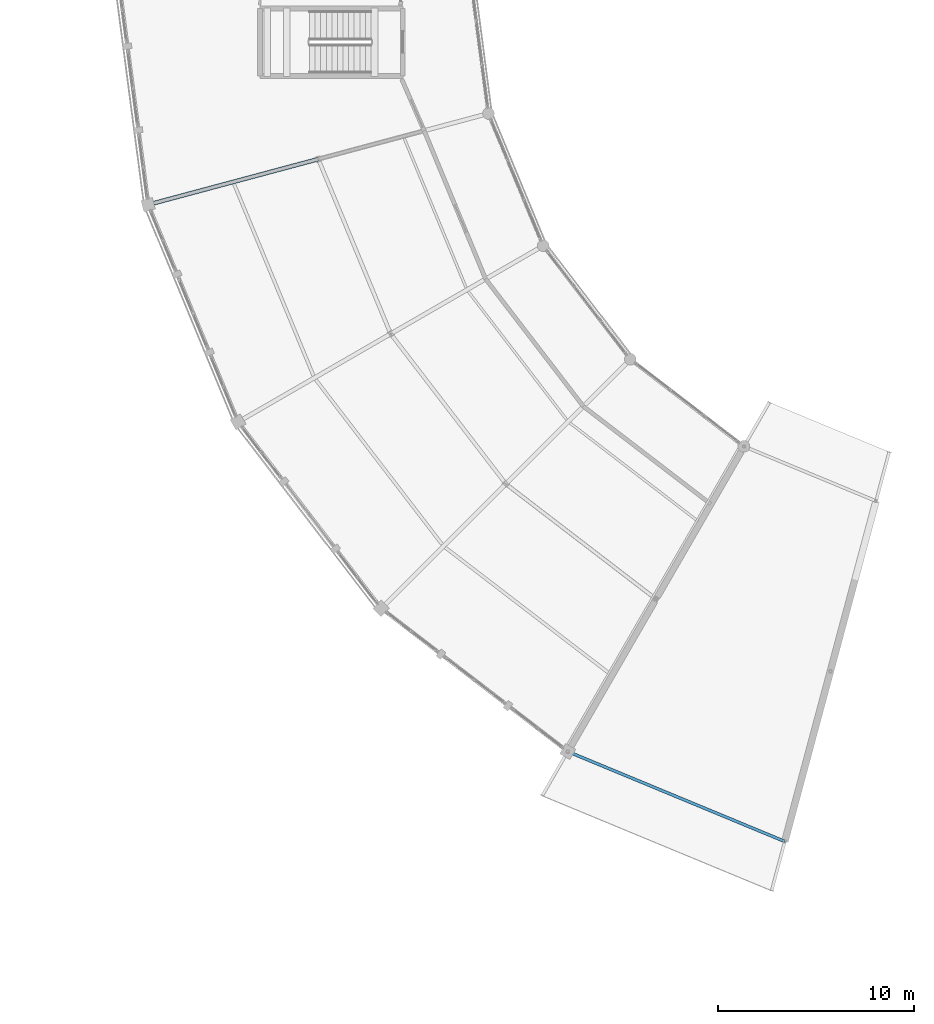
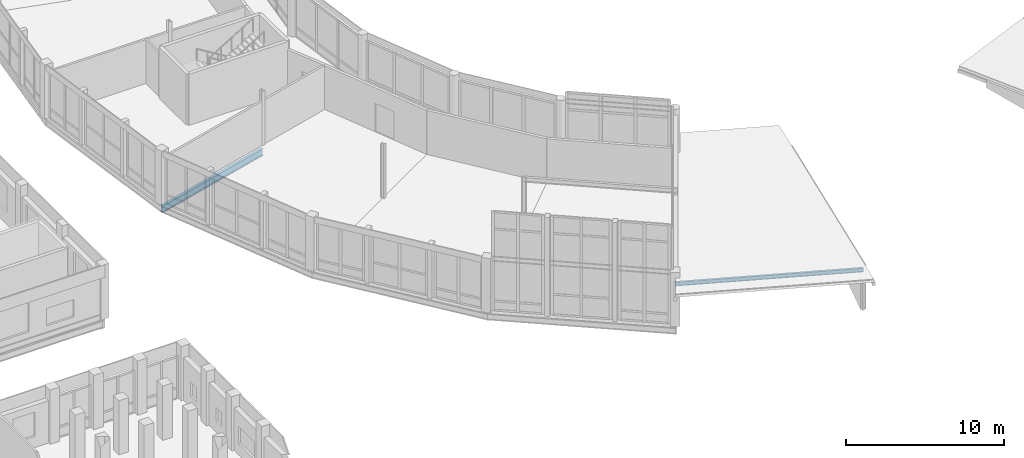
# One storey, part 40 of 185: 2 beams.
"""IFC4 building model written with IfcOpenShell, lengths in metres."""

from ifc_helpers import new_model, si_unit, direction, frame, origin, origin_2d, place, context, subcontext, project, spatial, i_section, extrude, material, material_profile, profile_set, type_object, element, save


model = new_model("IFC4")

# Units and contexts
model_context = context("Model", 3, precision=1e-05, world=origin(), true_north=direction((0.0, 1.0)))
body_context = subcontext(model_context, "Body", "Model", "MODEL_VIEW")
ifc_project = project(units=[si_unit("LENGTHUNIT", "METRE"), si_unit("AREAUNIT", "SQUARE_METRE"), si_unit("VOLUMEUNIT", "CUBIC_METRE"), si_unit("PLANEANGLEUNIT", "RADIAN"), si_unit("MASSUNIT", "GRAM", prefix="KILO")], contexts=[model_context])

# Site, building, storey
site_placement = place(None, origin())
site = spatial("IfcSite", under=ifc_project, at=site_placement, CompositionType="ELEMENT")
building_placement = place(site_placement, origin())
building = spatial("IfcBuilding", under=site, at=building_placement, Name="Vondelvale Polytechnic", CompositionType="ELEMENT")
storey_placement = place(building_placement, frame((0.0, 0.0, 9.60009765625)))
storey = spatial("IfcBuildingStorey", under=building, at=storey_placement, Name="L02", CompositionType="ELEMENT", Elevation=9.60009765625)

# Beams
ifc_material = material(Name="Steel 300PLUS (fy = 300 MPa)", Category="steel")
ifc_material_profile_1 = material_profile(ifc_material, i_section(OverallWidth=0.14892578125, OverallDepth=0.298095703125, WebThickness=0.005615234375, FlangeThickness=0.008056640625, FilletRadius=0.011474609375, at=origin_2d()), Name="310UB32.0")
ifc_profile_set_1 = profile_set([ifc_material_profile_1], Name="Steel 300PLUS (fy = 300 MPa)")
beam_type_1 = type_object("IfcBeamType", Name="BM-UB310L", PredefinedType="BEAM", material=ifc_profile_set_1)
beam_1_placement = place(storey_placement, frame((79.0, 32.162841796875, 3.110595703125), z_axis=(0.923877323614, -0.382688765072, 0.0), x_axis=(0.382688765072, 0.923877323614, 0.0)))
element("IfcBeam", 1, at=beam_1_placement, inside=storey, type_object=beam_type_1, Name="L02 RE B-25", PredefinedType="BEAM", context=body_context, shape_type="SweptSolid", body=[
    extrude(i_section(OverallWidth=0.14892578125, OverallDepth=0.298095703125, WebThickness=0.005615234375, FlangeThickness=0.008056640625, FilletRadius=0.011474609375, at=origin_2d()), origin(), (0.0, 0.0, 1.0), 12.00830078125),
])
ifc_material_profile_2 = material_profile(ifc_material, i_section(OverallWidth=0.208984375, OverallDepth=0.532958984375, WebThickness=0.01025390625, FlangeThickness=0.015625, FilletRadius=0.013916015625, at=origin_2d()), Name="530UB92.4")
ifc_profile_set_2 = profile_set([ifc_material_profile_2], Name="Steel 300PLUS (fy = 300 MPa)")
beam_type_2 = type_object("IfcBeamType", Name="BM-UB530", PredefinedType="BEAM", material=ifc_profile_set_2)
beam_2_placement = place(storey_placement, frame((66.2607421875, 62.423583984375, -0.546630859375), z_axis=(-0.965926740751, -0.25881563226, 0.0), x_axis=(0.25881563226, -0.965926740751, 0.0)))
element("IfcBeam", 2, at=beam_2_placement, inside=storey, type_object=beam_type_2, Name="L02 RG B-11", PredefinedType="BEAM", context=body_context, shape_type="SweptSolid", body=[
    extrude(i_section(OverallWidth=0.208984375, OverallDepth=0.532958984375, WebThickness=0.01025390625, FlangeThickness=0.015625, FilletRadius=0.013916015625, at=origin_2d()), origin(), (0.0, 0.0, 1.0), 9.0),
])

save(model, "model.ifc")
